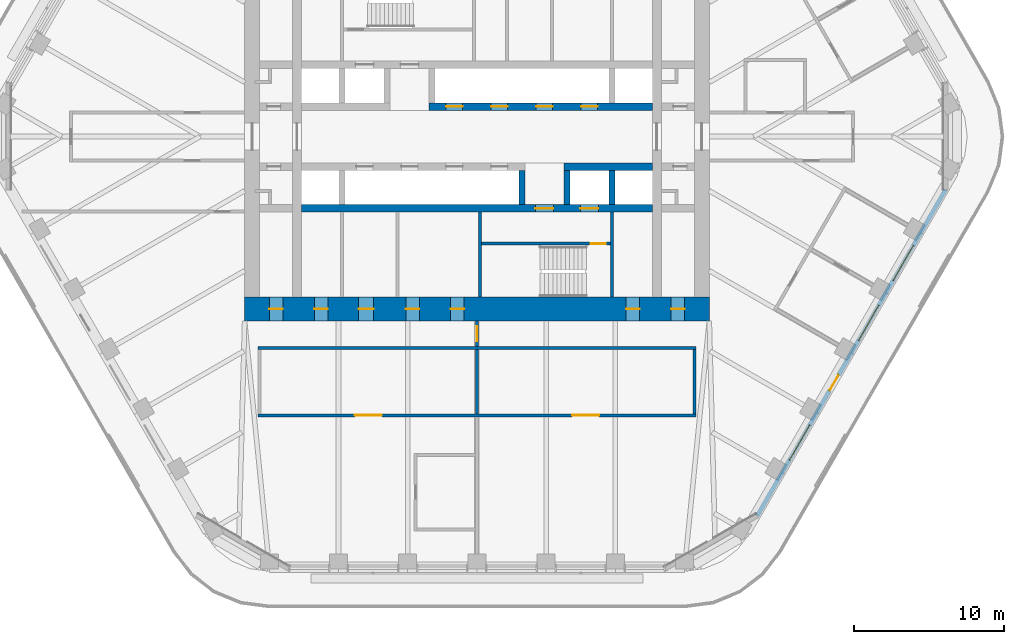
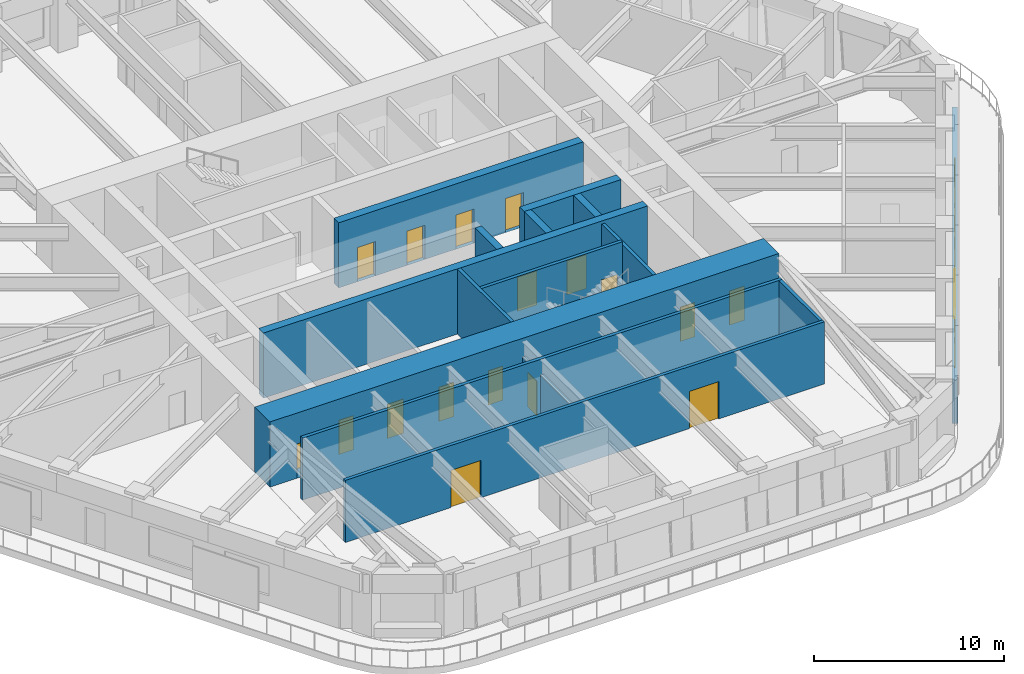
# One storey, part 15 of 20: 18 doors, 16 walls, 3 windows, 21 openings.
"""IFC4 building model written with IfcOpenShell, lengths in metres."""

from ifc_helpers import new_model, si_unit, direction, frame, frame_2d, origin, place, context, subcontext, project, spatial, rectangle, extrude, material, layer, layer_set, type_object, element, fill, save


model = new_model("IFC4")

# Units and contexts
model_context = context("Model", 3, precision=1e-05, world=origin(), true_north=direction((0.0, 1.0)))
body_context = subcontext(model_context, "Body", "Model", "MODEL_VIEW")
ifc_project = project(units=[si_unit("LENGTHUNIT", "METRE"), si_unit("AREAUNIT", "SQUARE_METRE"), si_unit("VOLUMEUNIT", "CUBIC_METRE"), si_unit("PLANEANGLEUNIT", "RADIAN"), si_unit("MASSUNIT", "GRAM", prefix="KILO")], contexts=[model_context])

# Site, building, storey
site_placement = place(None, origin())
site = spatial("IfcSite", under=ifc_project, at=site_placement, CompositionType="ELEMENT")
building_placement = place(site_placement, origin())
building = spatial("IfcBuilding", under=site, at=building_placement, Name="Tarfa Lantern Tower", CompositionType="ELEMENT")
storey_placement = place(building_placement, frame((0.0, 0.0, 257.5)))
storey = spatial("IfcBuildingStorey", under=building, at=storey_placement, Name="L58", CompositionType="ELEMENT", Elevation=257.5)

# Wall, openings, door, windows
ifc_material_1 = material(Name="Limestone cladding on blockwork", Category="masonry")
ifc_layer_1 = layer(ifc_material_1, 0.300048828125)
ifc_layer_set_1 = layer_set([ifc_layer_1], Name="EW1 STONE-CLAD WALL 300")
wall_type_1 = type_object("IfcWallType", Name="EW1 STONE-CLAD WALL 300", PredefinedType="SOLIDWALL", material=ifc_layer_set_1)
wall_1_placement = place(storey_placement, frame((18.70654296875, -25.299072265625, 0.0), z_axis=(0.0, 0.0, 1.0), x_axis=(0.500000442367, 0.866025148383, 0.0)))
wall_1 = element("IfcWall", 1, at=wall_1_placement, inside=storey, type_object=wall_type_1, Name="Stone wall SE", PredefinedType="SOLIDWALL", context=body_context, shape_type="SweptSolid", body=[
    extrude(rectangle(XDim=25.11279296875, YDim=0.300048828125, at=frame_2d((12.556396484375, 0.0))), origin(), (0.0, 0.0, 1.0), 2.800048828125),
])
opening_1_placement = place(wall_1_placement, frame((4.2783203125, 0.0, 0.60009765625)))
opening_1 = element("IfcOpeningElement", 2, at=opening_1_placement, cuts=wall_1, Name="Opening W14", PredefinedType="OPENING", context=body_context, shape_type="SweptSolid", body=[
    extrude(rectangle(XDim=2.699951171875, YDim=1.949951171875, at=frame_2d((1.35009765625, 0.97509765625))), frame((0.0, 0.159912109375, 0.0), z_axis=(0.0, -1.0, 0.0), x_axis=(1.0, 0.0, 0.0)), (0.0, 0.0, 1.0), 0.320068359375),
])
opening_2_placement = place(wall_1_placement, frame((9.64697265625, 0.0, 0.0)))
opening_2 = element("IfcOpeningElement", 3, at=opening_2_placement, cuts=wall_1, Name="Opening D47", PredefinedType="OPENING", context=body_context, shape_type="SweptSolid", body=[
    extrude(rectangle(XDim=1.199951171875, YDim=2.39990234375, at=frame_2d((0.60009765625, 1.199951171875))), frame((0.0, 0.159912109375, 0.0), z_axis=(0.0, -1.0, 0.0), x_axis=(1.0, 0.0, 0.0)), (0.0, 0.0, 1.0), 0.320068359375),
])
opening_3_placement = place(wall_1_placement, frame((13.515869140625, 0.0, 0.60009765625)))
opening_3 = element("IfcOpeningElement", 4, at=opening_3_placement, cuts=wall_1, Name="Opening W14", PredefinedType="OPENING", context=body_context, shape_type="SweptSolid", body=[
    extrude(rectangle(XDim=2.699951171875, YDim=1.949951171875, at=frame_2d((1.35009765625, 0.97509765625))), frame((0.0, 0.159912109375, 0.0), z_axis=(0.0, -1.0, 0.0), x_axis=(1.0, 0.0, 0.0)), (0.0, 0.0, 1.0), 0.320068359375),
])
opening_4_placement = place(wall_1_placement, frame((18.134521484375, 0.0, 0.60009765625)))
opening_4 = element("IfcOpeningElement", 5, at=opening_4_placement, cuts=wall_1, Name="Opening W14", PredefinedType="OPENING", context=body_context, shape_type="SweptSolid", body=[
    extrude(rectangle(XDim=2.699951171875, YDim=1.949951171875, at=frame_2d((1.35009765625, 0.97509765625))), frame((0.0, 0.159912109375, 0.0), z_axis=(0.0, -1.0, 0.0), x_axis=(1.0, 0.0, 0.0)), (0.0, 0.0, 1.0), 0.320068359375),
])
ifc_material_2 = material(Name="Aluminium framed glazed door", Category="aluminium")
door_type_1 = type_object("IfcDoorType", Name="BE3 BALCONY DOOR 1200x2400", OperationType="SINGLE_SWING_RIGHT", PredefinedType="DOOR", material=ifc_material_2)
door_1_placement = place(opening_2_placement, origin())
door_1 = element("IfcDoor", 6, at=door_1_placement, inside=storey, type_object=door_type_1, Name="Balcony door SE", OperationType="SINGLE_SWING_LEFT", OverallHeight=2.39990234375, OverallWidth=1.199951171875, PredefinedType="DOOR", context=body_context, shape_type="SweptSolid", body=[
    extrude(rectangle(XDim=1.199951171875, YDim=2.39990234375, at=frame_2d((0.60009765625, 1.199951171875))), frame((0.0, 0.02490234375, 0.0), z_axis=(0.0, -1.0, 0.0), x_axis=(1.0, 0.0, 0.0)), (0.0, 0.0, 1.0), 0.050048828125),
])
fill(opening_2, door_1)
ifc_material_3 = material(Name="Aluminium frame, double glazed", Category="aluminium")
window_type = type_object("IfcWindowType", Name="W14 FULL-HEIGHT GLAZING 2700x1950", PartitioningType="SINGLE_PANEL", PredefinedType="WINDOW", material=ifc_material_3)
window_1_placement = place(opening_1_placement, origin())
window_1 = element("IfcWindow", 7, at=window_1_placement, inside=storey, type_object=window_type, Name="Window SE 2", OverallHeight=1.949951171875, OverallWidth=2.699951171875, PartitioningType="SINGLE_PANEL", PredefinedType="WINDOW", context=body_context, shape_type="SweptSolid", body=[
    extrude(rectangle(XDim=2.699951171875, YDim=1.949951171875, at=frame_2d((1.35009765625, 0.97509765625))), frame((0.0, 0.030029296875, 0.0), z_axis=(0.0, -1.0, 0.0), x_axis=(1.0, 0.0, 0.0)), (0.0, 0.0, 1.0), 0.06005859375),
])
fill(opening_1, window_1)
window_2_placement = place(opening_3_placement, origin())
window_2 = element("IfcWindow", 8, at=window_2_placement, inside=storey, type_object=window_type, Name="Window SE 4", OverallHeight=1.949951171875, OverallWidth=2.699951171875, PartitioningType="SINGLE_PANEL", PredefinedType="WINDOW", context=body_context, shape_type="SweptSolid", body=[
    extrude(rectangle(XDim=2.699951171875, YDim=1.949951171875, at=frame_2d((1.35009765625, 0.97509765625))), frame((0.0, 0.030029296875, 0.0), z_axis=(0.0, -1.0, 0.0), x_axis=(1.0, 0.0, 0.0)), (0.0, 0.0, 1.0), 0.06005859375),
])
fill(opening_3, window_2)
window_3_placement = place(opening_4_placement, origin())
window_3 = element("IfcWindow", 9, at=window_3_placement, inside=storey, type_object=window_type, Name="Window SE 5", OverallHeight=1.949951171875, OverallWidth=2.699951171875, PartitioningType="SINGLE_PANEL", PredefinedType="WINDOW", context=body_context, shape_type="SweptSolid", body=[
    extrude(rectangle(XDim=2.699951171875, YDim=1.949951171875, at=frame_2d((1.35009765625, 0.97509765625))), frame((0.0, 0.030029296875, 0.0), z_axis=(0.0, -1.0, 0.0), x_axis=(1.0, 0.0, 0.0)), (0.0, 0.0, 1.0), 0.06005859375),
])
fill(opening_4, window_3)

# Walls
ifc_material_4 = material(Name="Concrete blockwork", Category="masonry")
ifc_layer_2 = layer(ifc_material_4, 0.199951171875)
ifc_layer_set_2 = layer_set([ifc_layer_2], Name="IW1 BLOCKWORK PARTITION 200 EI 120")
wall_type_2 = type_object("IfcWallType", Name="IW1 BLOCKWORK PARTITION 200 EI 120", PredefinedType="PARTITIONING", material=ifc_layer_set_2)
wall_2_placement = place(storey_placement, frame((9.0, -5.050048828125, 0.0), z_axis=(0.0, 0.0, 1.0), x_axis=(0.0, -1.0, 0.0)))
element("IfcWall", 10, at=wall_2_placement, inside=storey, type_object=wall_type_2, Name="Core partition", PredefinedType="PARTITIONING", context=body_context, shape_type="SweptSolid", body=[
    extrude(rectangle(XDim=5.64990234375, YDim=0.199951171875, at=frame_2d((2.824951171875, 0.0))), origin(), (0.0, 0.0, 1.0), 4.0),
])
ifc_material_5 = material(Name="Gypsum board on steel studs", Category="steel")
ifc_layer_3 = layer(ifc_material_5, 0.2099609375)
ifc_layer_set_3 = layer_set([ifc_layer_3], Name="IW2 ACOUSTIC PARTITION 200")
wall_type_3 = type_object("IfcWallType", Name="IW2 ACOUSTIC PARTITION 200", PredefinedType="PARTITIONING", material=ifc_layer_set_3)
wall_3_placement = place(storey_placement, frame((14.60009765625, -14.10009765625, 0.0), z_axis=(0.0, 0.0, 1.0), x_axis=(-1.0, 0.0, 0.0)))
element("IfcWall", 11, at=wall_3_placement, inside=storey, type_object=wall_type_3, Name="Partition", PredefinedType="PARTITIONING", context=body_context, shape_type="SweptSolid", body=[
    extrude(rectangle(XDim=29.2001953125, YDim=0.199951171875, at=frame_2d((14.60009765625, 0.0))), origin(), (0.0, 0.0, 1.0), 4.0),
])

# Wall, openings, doors
wall_4_placement = place(storey_placement, frame((14.60009765625, -18.60009765625, 0.0), z_axis=(0.0, 0.0, 1.0), x_axis=(-1.0, 0.0, 0.0)))
wall_4 = element("IfcWall", 12, at=wall_4_placement, inside=storey, type_object=wall_type_3, Name="Partition", PredefinedType="PARTITIONING", context=body_context, shape_type="SweptSolid", body=[
    extrude(rectangle(XDim=29.2001953125, YDim=0.199951171875, at=frame_2d((14.60009765625, 0.0))), origin(), (0.0, 0.0, 1.0), 4.0),
])
opening_5_placement = place(wall_4_placement, frame((6.449951171875, 0.0, 0.0)))
opening_5 = element("IfcOpeningElement", 13, at=opening_5_placement, cuts=wall_4, Name="Opening D32", PredefinedType="OPENING", context=body_context, shape_type="SweptSolid", body=[
    extrude(rectangle(XDim=1.800048828125, YDim=2.39990234375, at=frame_2d((0.89990234375, 1.199951171875))), frame((0.0, 0.10986328125, 0.0), z_axis=(0.0, -1.0, 0.0), x_axis=(1.0, 0.0, 0.0)), (0.0, 0.0, 1.0), 0.219970703125),
])
opening_6_placement = place(wall_4_placement, frame((20.949951171875, 0.0, 0.0)))
opening_6 = element("IfcOpeningElement", 14, at=opening_6_placement, cuts=wall_4, Name="Opening D33", PredefinedType="OPENING", context=body_context, shape_type="SweptSolid", body=[
    extrude(rectangle(XDim=1.800048828125, YDim=2.39990234375, at=frame_2d((0.89990234375, 1.199951171875))), frame((0.0, 0.10986328125, 0.0), z_axis=(0.0, -1.0, 0.0), x_axis=(1.0, 0.0, 0.0)), (0.0, 0.0, 1.0), 0.219970703125),
])
ifc_material_6 = material(Name="Timber door", Category="wood")
door_type_2 = type_object("IfcDoorType", Name="DR2 ROOM DOOR 1800x2400", OperationType="DOUBLE_DOOR_SINGLE_SWING", PredefinedType="DOOR", material=ifc_material_6)
door_2_placement = place(opening_5_placement, frame((1.800048828125, 0.0, 0.0), z_axis=(0.0, 0.0, 1.0), x_axis=(-1.0, 0.0, 0.0)))
door_2 = element("IfcDoor", 15, at=door_2_placement, inside=storey, type_object=door_type_2, Name="Bid room door", OperationType="DOUBLE_DOOR_SINGLE_SWING", OverallHeight=2.39990234375, OverallWidth=1.800048828125, PredefinedType="DOOR", context=body_context, shape_type="SweptSolid", body=[
    extrude(rectangle(XDim=1.800048828125, YDim=2.39990234375, at=frame_2d((0.89990234375, 1.199951171875))), frame((0.0, 0.02490234375, 0.0), z_axis=(0.0, -1.0, 0.0), x_axis=(1.0, 0.0, 0.0)), (0.0, 0.0, 1.0), 0.050048828125),
])
fill(opening_5, door_2)
door_3_placement = place(opening_6_placement, frame((1.800048828125, 0.0, 0.0), z_axis=(0.0, 0.0, 1.0), x_axis=(-1.0, 0.0, 0.0)))
door_3 = element("IfcDoor", 16, at=door_3_placement, inside=storey, type_object=door_type_2, Name="Bid room door", OperationType="DOUBLE_DOOR_SINGLE_SWING", OverallHeight=2.39990234375, OverallWidth=1.800048828125, PredefinedType="DOOR", context=body_context, shape_type="SweptSolid", body=[
    extrude(rectangle(XDim=1.800048828125, YDim=2.39990234375, at=frame_2d((0.89990234375, 1.199951171875))), frame((0.0, 0.02490234375, 0.0), z_axis=(0.0, -1.0, 0.0), x_axis=(1.0, 0.0, 0.0)), (0.0, 0.0, 1.0), 0.050048828125),
])
fill(opening_6, door_3)

# Walls
wall_5_placement = place(storey_placement, frame((14.5, -14.199951171875, 0.0), z_axis=(0.0, 0.0, 1.0), x_axis=(0.0, -1.0, 0.0)))
element("IfcWall", 17, at=wall_5_placement, inside=storey, type_object=wall_type_3, Name="Partition", PredefinedType="PARTITIONING", context=body_context, shape_type="SweptSolid", body=[
    extrude(rectangle(XDim=4.300048828125, YDim=0.199951171875, at=frame_2d((2.14990234375, 0.0))), origin(), (0.0, 0.0, 1.0), 4.0),
])
wall_6_placement = place(storey_placement, frame((0.0, -14.199951171875, 0.0), z_axis=(0.0, 0.0, 1.0), x_axis=(0.0, -1.0, 0.0)))
element("IfcWall", 18, at=wall_6_placement, inside=storey, type_object=wall_type_3, Name="Partition", PredefinedType="PARTITIONING", context=body_context, shape_type="SweptSolid", body=[
    extrude(rectangle(XDim=4.300048828125, YDim=0.199951171875, at=frame_2d((2.14990234375, 0.0))), origin(), (0.0, 0.0, 1.0), 2.991943359375),
])

# Wall, opening, door
wall_7_placement = place(storey_placement, frame((0.0, -12.300048828125, 0.0), z_axis=(0.0, 0.0, 1.0), x_axis=(0.0, -1.0, 0.0)))
wall_7 = element("IfcWall", 19, at=wall_7_placement, inside=storey, type_object=wall_type_3, Name="Partition", PredefinedType="PARTITIONING", context=body_context, shape_type="SweptSolid", body=[
    extrude(rectangle(XDim=1.699951171875, YDim=0.199951171875, at=frame_2d((0.85009765625, 0.0))), origin(), (0.0, 0.0, 1.0), 2.991943359375),
])
opening_7_placement = place(wall_7_placement, frame((0.35009765625, 0.0, 0.0)))
opening_7 = element("IfcOpeningElement", 20, at=opening_7_placement, cuts=wall_7, Name="Opening D44", PredefinedType="OPENING", context=body_context, shape_type="SweptSolid", body=[
    extrude(rectangle(XDim=1.0, YDim=2.199951171875, at=frame_2d((0.5, 1.10009765625))), frame((0.0, 0.10986328125, 0.0), z_axis=(0.0, -1.0, 0.0), x_axis=(1.0, 0.0, 0.0)), (0.0, 0.0, 1.0), 0.219970703125),
])
door_type_3 = type_object("IfcDoorType", Name="DR1 ROOM DOOR 1000x2200", OperationType="SINGLE_SWING_LEFT", PredefinedType="DOOR", material=ifc_material_6)
door_4_placement = place(opening_7_placement, frame((1.0, 0.0, 0.0), z_axis=(0.0, 0.0, 1.0), x_axis=(-1.0, 0.0, 0.0)))
door_4 = element("IfcDoor", 21, at=door_4_placement, inside=storey, type_object=door_type_3, Name="Zone door", OperationType="SINGLE_SWING_RIGHT", OverallHeight=2.199951171875, OverallWidth=1.0, PredefinedType="DOOR", context=body_context, shape_type="SweptSolid", body=[
    extrude(rectangle(XDim=1.0, YDim=2.199951171875, at=frame_2d((0.5, 1.10009765625))), frame((0.0, 0.02490234375, 0.0), z_axis=(0.0, -1.0, 0.0), x_axis=(1.0, 0.0, 0.0)), (0.0, 0.0, 1.0), 0.050048828125),
])
fill(opening_7, door_4)

# Wall
ifc_material_7 = material(Name="Concrete C80/95", Category="concrete")
ifc_layer_4 = layer(ifc_material_7, 0.199951171875)
ifc_layer_set_4 = layer_set([ifc_layer_4], Name="SW12 CORE WALL 200")
wall_type_4 = type_object("IfcWallType", Name="SW12 CORE WALL 200", PredefinedType="SHEAR", material=ifc_layer_set_4)
wall_8_placement = place(storey_placement, frame((0.199951171875, -5.050048828125, 0.0), z_axis=(0.0, 0.0, 1.0), x_axis=(0.0, -1.0, 0.0)))
element("IfcWall", 22, at=wall_8_placement, inside=storey, type_object=wall_type_4, Name="Core wall stair shaft S", PredefinedType="SHEAR", context=body_context, shape_type="SweptSolid", body=[
    extrude(rectangle(XDim=5.64990234375, YDim=0.199951171875, at=frame_2d((2.824951171875, 0.0))), origin(), (0.0, 0.0, 1.0), 4.199951171875),
])

# Wall, opening, door
wall_9_placement = place(storey_placement, frame((8.89990234375, -7.14990234375, 0.0), z_axis=(0.0, 0.0, 1.0), x_axis=(-1.0, 0.0, 0.0)))
wall_9 = element("IfcWall", 23, at=wall_9_placement, inside=storey, type_object=wall_type_4, Name="Core wall stair partition S", PredefinedType="SHEAR", context=body_context, shape_type="SweptSolid", body=[
    extrude(rectangle(XDim=8.599853515625, YDim=0.199951171875, at=frame_2d((4.2998046875, 0.0))), origin(), (0.0, 0.0, 1.0), 4.199951171875),
])
opening_8_placement = place(wall_9_placement, frame((0.300048828125, 0.0, 0.0)))
opening_8 = element("IfcOpeningElement", 24, at=opening_8_placement, cuts=wall_9, Name="Opening D24", PredefinedType="OPENING", context=body_context, shape_type="SweptSolid", body=[
    extrude(rectangle(XDim=1.0, YDim=2.199951171875, at=frame_2d((0.5, 1.10009765625))), frame((0.0, 0.10986328125, 0.0), z_axis=(0.0, -1.0, 0.0), x_axis=(1.0, 0.0, 0.0)), (0.0, 0.0, 1.0), 0.219970703125),
])
ifc_material_8 = material(Name="Steel fire door", Category="steel")
door_type_4 = type_object("IfcDoorType", Name="DF2 STAIR DOOR 1000x2200", OperationType="SINGLE_SWING_LEFT", PredefinedType="DOOR", material=ifc_material_8)
door_5_placement = place(opening_8_placement, origin())
door_5 = element("IfcDoor", 25, at=door_5_placement, inside=storey, type_object=door_type_4, Name="Stair door", OperationType="SINGLE_SWING_RIGHT", OverallHeight=2.199951171875, OverallWidth=1.0, PredefinedType="DOOR", context=body_context, shape_type="SweptSolid", body=[
    extrude(rectangle(XDim=1.0, YDim=2.199951171875, at=frame_2d((0.5, 1.10009765625))), frame((0.0, 0.02490234375, 0.0), z_axis=(0.0, -1.0, 0.0), x_axis=(1.0, 0.0, 0.0)), (0.0, 0.0, 1.0), 0.050048828125),
])
fill(opening_8, door_5)

# Wall, openings, doors
ifc_layer_5 = layer(ifc_material_7, 0.5)
ifc_layer_set_5 = layer_set([ifc_layer_5], Name="SW5 CORE WALL 500")
wall_type_5 = type_object("IfcWallType", Name="SW5 CORE WALL 500", PredefinedType="SHEAR", material=ifc_layer_set_5)
wall_10_placement = place(storey_placement, frame((-3.199951171875, 2.0, 0.0), z_axis=(0.0, 0.0, 1.0), x_axis=(1.0, 0.0, 0.0)))
wall_10 = element("IfcWall", 26, at=wall_10_placement, inside=storey, type_object=wall_type_5, Name="Core wall lobby east N", PredefinedType="SHEAR", context=body_context, shape_type="SweptSolid", body=[
    extrude(rectangle(XDim=14.89990234375, YDim=0.5, at=frame_2d((7.449951171875, 0.0))), origin(), (0.0, 0.0, 1.0), 4.199951171875),
])
opening_9_placement = place(wall_10_placement, frame((1.14990234375, 0.0, 0.0)))
opening_9 = element("IfcOpeningElement", 27, at=opening_9_placement, cuts=wall_10, Name="Opening LD03", PredefinedType="OPENING", context=body_context, shape_type="SweptSolid", body=[
    extrude(rectangle(XDim=1.10009765625, YDim=2.199951171875, at=frame_2d((0.550048828125, 1.10009765625))), frame((0.0, 0.260009765625, 0.0), z_axis=(0.0, -1.0, 0.0), x_axis=(1.0, 0.0, 0.0)), (0.0, 0.0, 1.0), 0.52001953125),
])
opening_10_placement = place(wall_10_placement, frame((4.14990234375, 0.0, 0.0)))
opening_10 = element("IfcOpeningElement", 28, at=opening_10_placement, cuts=wall_10, Name="Opening LD04", PredefinedType="OPENING", context=body_context, shape_type="SweptSolid", body=[
    extrude(rectangle(XDim=1.10009765625, YDim=2.199951171875, at=frame_2d((0.550048828125, 1.10009765625))), frame((0.0, 0.260009765625, 0.0), z_axis=(0.0, -1.0, 0.0), x_axis=(1.0, 0.0, 0.0)), (0.0, 0.0, 1.0), 0.52001953125),
])
opening_11_placement = place(wall_10_placement, frame((7.14990234375, 0.0, 0.0)))
opening_11 = element("IfcOpeningElement", 29, at=opening_11_placement, cuts=wall_10, Name="Opening LD05", PredefinedType="OPENING", context=body_context, shape_type="SweptSolid", body=[
    extrude(rectangle(XDim=1.10009765625, YDim=2.199951171875, at=frame_2d((0.550048828125, 1.10009765625))), frame((0.0, 0.260009765625, 0.0), z_axis=(0.0, -1.0, 0.0), x_axis=(1.0, 0.0, 0.0)), (0.0, 0.0, 1.0), 0.52001953125),
])
opening_12_placement = place(wall_10_placement, frame((10.14990234375, 0.0, 0.0)))
opening_12 = element("IfcOpeningElement", 30, at=opening_12_placement, cuts=wall_10, Name="Opening LD06", PredefinedType="OPENING", context=body_context, shape_type="SweptSolid", body=[
    extrude(rectangle(XDim=1.10009765625, YDim=2.199951171875, at=frame_2d((0.550048828125, 1.10009765625))), frame((0.0, 0.260009765625, 0.0), z_axis=(0.0, -1.0, 0.0), x_axis=(1.0, 0.0, 0.0)), (0.0, 0.0, 1.0), 0.52001953125),
])
ifc_material_9 = material(Name="Stainless steel lift door", Category="steel")
door_type_5 = type_object("IfcDoorType", Name="LD2 LIFT LANDING DOOR 1100x2200", OperationType="SLIDING_TO_LEFT", PredefinedType="DOOR", material=ifc_material_9)
door_6_placement = place(opening_9_placement, frame((1.10009765625, 0.0, 0.0), z_axis=(0.0, 0.0, 1.0), x_axis=(-1.0, 0.0, 0.0)))
door_6 = element("IfcDoor", 31, at=door_6_placement, inside=storey, type_object=door_type_5, Name="Landing door PC1", OperationType="SLIDING_TO_LEFT", OverallHeight=2.199951171875, OverallWidth=1.10009765625, PredefinedType="DOOR", context=body_context, shape_type="SweptSolid", body=[
    extrude(rectangle(XDim=1.10009765625, YDim=2.199951171875, at=frame_2d((0.550048828125, 1.10009765625))), frame((0.0, 0.02490234375, 0.0), z_axis=(0.0, -1.0, 0.0), x_axis=(1.0, 0.0, 0.0)), (0.0, 0.0, 1.0), 0.050048828125),
])
fill(opening_9, door_6)
door_7_placement = place(opening_10_placement, frame((1.10009765625, 0.0, 0.0), z_axis=(0.0, 0.0, 1.0), x_axis=(-1.0, 0.0, 0.0)))
door_7 = element("IfcDoor", 32, at=door_7_placement, inside=storey, type_object=door_type_5, Name="Landing door PC2", OperationType="SLIDING_TO_LEFT", OverallHeight=2.199951171875, OverallWidth=1.10009765625, PredefinedType="DOOR", context=body_context, shape_type="SweptSolid", body=[
    extrude(rectangle(XDim=1.10009765625, YDim=2.199951171875, at=frame_2d((0.550048828125, 1.10009765625))), frame((0.0, 0.02490234375, 0.0), z_axis=(0.0, -1.0, 0.0), x_axis=(1.0, 0.0, 0.0)), (0.0, 0.0, 1.0), 0.050048828125),
])
fill(opening_10, door_7)
door_8_placement = place(opening_11_placement, frame((1.10009765625, 0.0, 0.0), z_axis=(0.0, 0.0, 1.0), x_axis=(-1.0, 0.0, 0.0)))
door_8 = element("IfcDoor", 33, at=door_8_placement, inside=storey, type_object=door_type_5, Name="Landing door PC3", OperationType="SLIDING_TO_LEFT", OverallHeight=2.199951171875, OverallWidth=1.10009765625, PredefinedType="DOOR", context=body_context, shape_type="SweptSolid", body=[
    extrude(rectangle(XDim=1.10009765625, YDim=2.199951171875, at=frame_2d((0.550048828125, 1.10009765625))), frame((0.0, 0.02490234375, 0.0), z_axis=(0.0, -1.0, 0.0), x_axis=(1.0, 0.0, 0.0)), (0.0, 0.0, 1.0), 0.050048828125),
])
fill(opening_11, door_8)
door_9_placement = place(opening_12_placement, frame((1.10009765625, 0.0, 0.0), z_axis=(0.0, 0.0, 1.0), x_axis=(-1.0, 0.0, 0.0)))
door_9 = element("IfcDoor", 34, at=door_9_placement, inside=storey, type_object=door_type_5, Name="Landing door PC4", OperationType="SLIDING_TO_LEFT", OverallHeight=2.199951171875, OverallWidth=1.10009765625, PredefinedType="DOOR", context=body_context, shape_type="SweptSolid", body=[
    extrude(rectangle(XDim=1.10009765625, YDim=2.199951171875, at=frame_2d((0.550048828125, 1.10009765625))), frame((0.0, 0.02490234375, 0.0), z_axis=(0.0, -1.0, 0.0), x_axis=(1.0, 0.0, 0.0)), (0.0, 0.0, 1.0), 0.050048828125),
])
fill(opening_12, door_9)

# Wall
wall_11_placement = place(storey_placement, frame((11.699951171875, -2.0, 0.0), z_axis=(0.0, 0.0, 1.0), x_axis=(-1.0, 0.0, 0.0)))
element("IfcWall", 35, at=wall_11_placement, inside=storey, type_object=wall_type_5, Name="Core wall lobby west S", PredefinedType="SHEAR", context=body_context, shape_type="SweptSolid", body=[
    extrude(rectangle(XDim=5.89990234375, YDim=0.5, at=frame_2d((2.949951171875, 0.0))), origin(), (0.0, 0.0, 1.0), 4.199951171875),
])

# Wall, openings, doors
wall_12_placement = place(storey_placement, frame((11.699951171875, -4.800048828125, 0.0), z_axis=(0.0, 0.0, 1.0), x_axis=(-1.0, 0.0, 0.0)))
wall_12 = element("IfcWall", 36, at=wall_12_placement, inside=storey, type_object=wall_type_5, Name="Core wall rear S", PredefinedType="SHEAR", context=body_context, shape_type="SweptSolid", body=[
    extrude(rectangle(XDim=23.39990234375, YDim=0.5, at=frame_2d((11.699951171875, 0.0))), origin(), (0.0, 0.0, 1.0), 4.199951171875),
])
opening_13_placement = place(wall_12_placement, frame((6.60009765625, 0.0, 0.0)))
opening_13 = element("IfcOpeningElement", 37, at=opening_13_placement, cuts=wall_12, Name="Opening D10", PredefinedType="OPENING", context=body_context, shape_type="SweptSolid", body=[
    extrude(rectangle(XDim=1.199951171875, YDim=2.199951171875, at=frame_2d((0.60009765625, 1.10009765625))), frame((0.0, 0.260009765625, 0.0), z_axis=(0.0, -1.0, 0.0), x_axis=(1.0, 0.0, 0.0)), (0.0, 0.0, 1.0), 0.52001953125),
])
opening_14_placement = place(wall_12_placement, frame((3.60009765625, 0.0, 0.0)))
opening_14 = element("IfcOpeningElement", 38, at=opening_14_placement, cuts=wall_12, Name="Opening LD02", PredefinedType="OPENING", context=body_context, shape_type="SweptSolid", body=[
    extrude(rectangle(XDim=1.199951171875, YDim=2.199951171875, at=frame_2d((0.60009765625, 1.10009765625))), frame((0.0, 0.260009765625, 0.0), z_axis=(0.0, -1.0, 0.0), x_axis=(1.0, 0.0, 0.0)), (0.0, 0.0, 1.0), 0.52001953125),
])
door_type_6 = type_object("IfcDoorType", Name="DF1 FIREFIGHTING LOBBY DOOR 1200x2200", OperationType="SINGLE_SWING_LEFT", PredefinedType="DOOR", material=ifc_material_8)
door_10_placement = place(opening_13_placement, origin())
door_10 = element("IfcDoor", 39, at=door_10_placement, inside=storey, type_object=door_type_6, Name="Firefighting lobby door", OperationType="SINGLE_SWING_LEFT", OverallHeight=2.199951171875, OverallWidth=1.199951171875, PredefinedType="DOOR", context=body_context, shape_type="SweptSolid", body=[
    extrude(rectangle(XDim=1.199951171875, YDim=2.199951171875, at=frame_2d((0.60009765625, 1.10009765625))), frame((0.0, 0.02490234375, 0.0), z_axis=(0.0, -1.0, 0.0), x_axis=(1.0, 0.0, 0.0)), (0.0, 0.0, 1.0), 0.050048828125),
])
fill(opening_13, door_10)
door_type_7 = type_object("IfcDoorType", Name="LD1 LIFT LANDING DOOR 1200x2200", OperationType="SLIDING_TO_LEFT", PredefinedType="DOOR", material=ifc_material_9)
door_11_placement = place(opening_14_placement, origin())
door_11 = element("IfcDoor", 40, at=door_11_placement, inside=storey, type_object=door_type_7, Name="Landing door FL2", OperationType="SLIDING_TO_LEFT", OverallHeight=2.199951171875, OverallWidth=1.199951171875, PredefinedType="DOOR", context=body_context, shape_type="SweptSolid", body=[
    extrude(rectangle(XDim=1.199951171875, YDim=2.199951171875, at=frame_2d((0.60009765625, 1.10009765625))), frame((0.0, 0.02490234375, 0.0), z_axis=(0.0, -1.0, 0.0), x_axis=(1.0, 0.0, 0.0)), (0.0, 0.0, 1.0), 0.050048828125),
])
fill(opening_14, door_11)

# Walls
ifc_layer_6 = layer(ifc_material_7, 0.39990234375)
ifc_layer_set_6 = layer_set([ifc_layer_6], Name="SW6 CORE WALL 400")
wall_type_6 = type_object("IfcWallType", Name="SW6 CORE WALL 400", PredefinedType="SHEAR", material=ifc_layer_set_6)
for number, where, z_axis, x_axis, name in (
    (41, (9.0, -2.25, 0.0), (0.0, 0.0, 1.0), (0.0, -1.0, 0.0), "Core wall divider S"),
    (42, (6.0, -2.25, 0.0), (0.0, 0.0, 1.0), (0.0, -1.0, 0.0), "Core wall divider S"),
    (43, (3.0, -2.25, 0.0), (0.0, 0.0, 1.0), (0.0, -1.0, 0.0), "Core wall divider S"),
):
    element("IfcWall", number, at=place(storey_placement, frame(where, z_axis=z_axis, x_axis=x_axis)), inside=storey, type_object=wall_type_6, Name=name, PredefinedType="SHEAR", context=body_context, shape_type="SweptSolid", body=[
        extrude(rectangle(XDim=2.300048828125, YDim=0.39990234375, at=frame_2d((1.14990234375, 0.0))), origin(), (0.0, 0.0, 1.0), 4.199951171875),
    ])

# Wall, openings, doors
ifc_layer_7 = layer(ifc_material_7, 1.60009765625)
ifc_layer_set_7 = layer_set([ifc_layer_7], Name="SW7 CORE WALL 1600")
wall_type_7 = type_object("IfcWallType", Name="SW7 CORE WALL 1600", PredefinedType="SHEAR", material=ifc_layer_set_7)
wall_13_placement = place(storey_placement, frame((15.5, -11.5, 0.0), z_axis=(0.0, 0.0, 1.0), x_axis=(-1.0, 0.0, 0.0)))
wall_13 = element("IfcWall", 44, at=wall_13_placement, inside=storey, type_object=wall_type_7, Name="Core wall S", PredefinedType="SHEAR", context=body_context, shape_type="SweptSolid", body=[
    extrude(rectangle(XDim=31.0, YDim=1.60009765625, at=frame_2d((15.5, 0.0))), origin(), (0.0, 0.0, 1.0), 4.199951171875),
])
opening_15_placement = place(wall_13_placement, frame((16.35009765625, 0.0, 0.0)))
opening_15 = element("IfcOpeningElement", 45, at=opening_15_placement, cuts=wall_13, Name="Opening D18", PredefinedType="OPENING", context=body_context, shape_type="SweptSolid", body=[
    extrude(rectangle(XDim=0.89990234375, YDim=2.199951171875, at=frame_2d((0.449951171875, 1.10009765625))), frame((0.0, 0.81005859375, 0.0), z_axis=(0.0, -1.0, 0.0), x_axis=(1.0, 0.0, 0.0)), (0.0, 0.0, 1.0), 1.6201171875),
])
opening_16_placement = place(wall_13_placement, frame((19.35009765625, 0.0, 0.0)))
opening_16 = element("IfcOpeningElement", 46, at=opening_16_placement, cuts=wall_13, Name="Opening D20", PredefinedType="OPENING", context=body_context, shape_type="SweptSolid", body=[
    extrude(rectangle(XDim=0.89990234375, YDim=2.199951171875, at=frame_2d((0.449951171875, 1.10009765625))), frame((0.0, 0.81005859375, 0.0), z_axis=(0.0, -1.0, 0.0), x_axis=(1.0, 0.0, 0.0)), (0.0, 0.0, 1.0), 1.6201171875),
])
opening_17_placement = place(wall_13_placement, frame((22.39990234375, 0.0, 0.0)))
opening_17 = element("IfcOpeningElement", 47, at=opening_17_placement, cuts=wall_13, Name="Opening D22", PredefinedType="OPENING", context=body_context, shape_type="SweptSolid", body=[
    extrude(rectangle(XDim=1.0, YDim=2.199951171875, at=frame_2d((0.5, 1.10009765625))), frame((0.0, 0.81005859375, 0.0), z_axis=(0.0, -1.0, 0.0), x_axis=(1.0, 0.0, 0.0)), (0.0, 0.0, 1.0), 1.6201171875),
])
opening_18_placement = place(wall_13_placement, frame((1.64990234375, 0.0, 0.0)))
opening_18 = element("IfcOpeningElement", 48, at=opening_18_placement, cuts=wall_13, Name="Opening D08", PredefinedType="OPENING", context=body_context, shape_type="SweptSolid", body=[
    extrude(rectangle(XDim=0.89990234375, YDim=2.199951171875, at=frame_2d((0.449951171875, 1.10009765625))), frame((0.0, 0.81005859375, 0.0), z_axis=(0.0, -1.0, 0.0), x_axis=(1.0, 0.0, 0.0)), (0.0, 0.0, 1.0), 1.6201171875),
])
opening_19_placement = place(wall_13_placement, frame((4.64990234375, 0.0, 0.0)))
opening_19 = element("IfcOpeningElement", 49, at=opening_19_placement, cuts=wall_13, Name="Opening D06", PredefinedType="OPENING", context=body_context, shape_type="SweptSolid", body=[
    extrude(rectangle(XDim=0.89990234375, YDim=2.199951171875, at=frame_2d((0.449951171875, 1.10009765625))), frame((0.0, 0.81005859375, 0.0), z_axis=(0.0, -1.0, 0.0), x_axis=(1.0, 0.0, 0.0)), (0.0, 0.0, 1.0), 1.6201171875),
])
opening_20_placement = place(wall_13_placement, frame((25.449951171875, 0.0, 0.0)))
opening_20 = element("IfcOpeningElement", 50, at=opening_20_placement, cuts=wall_13, Name="Opening D04", PredefinedType="OPENING", context=body_context, shape_type="SweptSolid", body=[
    extrude(rectangle(XDim=0.89990234375, YDim=2.199951171875, at=frame_2d((0.449951171875, 1.10009765625))), frame((0.0, 0.81005859375, 0.0), z_axis=(0.0, -1.0, 0.0), x_axis=(1.0, 0.0, 0.0)), (0.0, 0.0, 1.0), 1.6201171875),
])
opening_21_placement = place(wall_13_placement, frame((28.449951171875, 0.0, 0.0)))
opening_21 = element("IfcOpeningElement", 51, at=opening_21_placement, cuts=wall_13, Name="Opening D02", PredefinedType="OPENING", context=body_context, shape_type="SweptSolid", body=[
    extrude(rectangle(XDim=0.89990234375, YDim=2.199951171875, at=frame_2d((0.449951171875, 1.10009765625))), frame((0.0, 0.81005859375, 0.0), z_axis=(0.0, -1.0, 0.0), x_axis=(1.0, 0.0, 0.0)), (0.0, 0.0, 1.0), 1.6201171875),
])
door_type_8 = type_object("IfcDoorType", Name="DF3 CORE ROOM DOOR 900x2200", OperationType="SINGLE_SWING_LEFT", PredefinedType="DOOR", material=ifc_material_8)
door_12_placement = place(opening_15_placement, frame((0.89990234375, 0.0, 0.0), z_axis=(0.0, 0.0, 1.0), x_axis=(-1.0, 0.0, 0.0)))
door_12 = element("IfcDoor", 52, at=door_12_placement, inside=storey, type_object=door_type_8, Name="Core door", OperationType="SINGLE_SWING_LEFT", OverallHeight=2.199951171875, OverallWidth=0.89990234375, PredefinedType="DOOR", context=body_context, shape_type="SweptSolid", body=[
    extrude(rectangle(XDim=0.89990234375, YDim=2.199951171875, at=frame_2d((0.449951171875, 1.10009765625))), frame((0.0, 0.02490234375, 0.0), z_axis=(0.0, -1.0, 0.0), x_axis=(1.0, 0.0, 0.0)), (0.0, 0.0, 1.0), 0.050048828125),
])
fill(opening_15, door_12)
door_13_placement = place(opening_16_placement, frame((0.89990234375, 0.0, 0.0), z_axis=(0.0, 0.0, 1.0), x_axis=(-1.0, 0.0, 0.0)))
door_13 = element("IfcDoor", 53, at=door_13_placement, inside=storey, type_object=door_type_8, Name="Core door", OperationType="SINGLE_SWING_RIGHT", OverallHeight=2.199951171875, OverallWidth=0.89990234375, PredefinedType="DOOR", context=body_context, shape_type="SweptSolid", body=[
    extrude(rectangle(XDim=0.89990234375, YDim=2.199951171875, at=frame_2d((0.449951171875, 1.10009765625))), frame((0.0, 0.02490234375, 0.0), z_axis=(0.0, -1.0, 0.0), x_axis=(1.0, 0.0, 0.0)), (0.0, 0.0, 1.0), 0.050048828125),
])
fill(opening_16, door_13)
door_type_9 = type_object("IfcDoorType", Name="DF4 CORE ROOM DOOR 1000x2200", OperationType="SINGLE_SWING_LEFT", PredefinedType="DOOR", material=ifc_material_8)
door_14_placement = place(opening_17_placement, frame((1.0, 0.0, 0.0), z_axis=(0.0, 0.0, 1.0), x_axis=(-1.0, 0.0, 0.0)))
door_14 = element("IfcDoor", 54, at=door_14_placement, inside=storey, type_object=door_type_9, Name="Core door", OperationType="SINGLE_SWING_RIGHT", OverallHeight=2.199951171875, OverallWidth=1.0, PredefinedType="DOOR", context=body_context, shape_type="SweptSolid", body=[
    extrude(rectangle(XDim=1.0, YDim=2.199951171875, at=frame_2d((0.5, 1.10009765625))), frame((0.0, 0.02490234375, 0.0), z_axis=(0.0, -1.0, 0.0), x_axis=(1.0, 0.0, 0.0)), (0.0, 0.0, 1.0), 0.050048828125),
])
fill(opening_17, door_14)
door_type_10 = type_object("IfcDoorType", Name="DF5 RISER DOOR 900x2200", OperationType="SINGLE_SWING_LEFT", PredefinedType="DOOR", material=ifc_material_8)
door_15_placement = place(opening_18_placement, frame((0.89990234375, 0.0, 0.0), z_axis=(0.0, 0.0, 1.0), x_axis=(-1.0, 0.0, 0.0)))
door_15 = element("IfcDoor", 55, at=door_15_placement, inside=storey, type_object=door_type_10, Name="Riser door", OperationType="SINGLE_SWING_LEFT", OverallHeight=2.199951171875, OverallWidth=0.89990234375, PredefinedType="DOOR", context=body_context, shape_type="SweptSolid", body=[
    extrude(rectangle(XDim=0.89990234375, YDim=2.199951171875, at=frame_2d((0.449951171875, 1.10009765625))), frame((0.0, 0.02490234375, 0.0), z_axis=(0.0, -1.0, 0.0), x_axis=(1.0, 0.0, 0.0)), (0.0, 0.0, 1.0), 0.050048828125),
])
fill(opening_18, door_15)
door_16_placement = place(opening_19_placement, frame((0.89990234375, 0.0, 0.0), z_axis=(0.0, 0.0, 1.0), x_axis=(-1.0, 0.0, 0.0)))
door_16 = element("IfcDoor", 56, at=door_16_placement, inside=storey, type_object=door_type_10, Name="Riser door", OperationType="SINGLE_SWING_LEFT", OverallHeight=2.199951171875, OverallWidth=0.89990234375, PredefinedType="DOOR", context=body_context, shape_type="SweptSolid", body=[
    extrude(rectangle(XDim=0.89990234375, YDim=2.199951171875, at=frame_2d((0.449951171875, 1.10009765625))), frame((0.0, 0.02490234375, 0.0), z_axis=(0.0, -1.0, 0.0), x_axis=(1.0, 0.0, 0.0)), (0.0, 0.0, 1.0), 0.050048828125),
])
fill(opening_19, door_16)
door_17_placement = place(opening_20_placement, frame((0.89990234375, 0.0, 0.0), z_axis=(0.0, 0.0, 1.0), x_axis=(-1.0, 0.0, 0.0)))
door_17 = element("IfcDoor", 57, at=door_17_placement, inside=storey, type_object=door_type_10, Name="Riser door", OperationType="SINGLE_SWING_RIGHT", OverallHeight=2.199951171875, OverallWidth=0.89990234375, PredefinedType="DOOR", context=body_context, shape_type="SweptSolid", body=[
    extrude(rectangle(XDim=0.89990234375, YDim=2.199951171875, at=frame_2d((0.449951171875, 1.10009765625))), frame((0.0, 0.02490234375, 0.0), z_axis=(0.0, -1.0, 0.0), x_axis=(1.0, 0.0, 0.0)), (0.0, 0.0, 1.0), 0.050048828125),
])
fill(opening_20, door_17)
door_18_placement = place(opening_21_placement, frame((0.89990234375, 0.0, 0.0), z_axis=(0.0, 0.0, 1.0), x_axis=(-1.0, 0.0, 0.0)))
door_18 = element("IfcDoor", 58, at=door_18_placement, inside=storey, type_object=door_type_10, Name="Riser door", OperationType="SINGLE_SWING_RIGHT", OverallHeight=2.199951171875, OverallWidth=0.89990234375, PredefinedType="DOOR", context=body_context, shape_type="SweptSolid", body=[
    extrude(rectangle(XDim=0.89990234375, YDim=2.199951171875, at=frame_2d((0.449951171875, 1.10009765625))), frame((0.0, 0.02490234375, 0.0), z_axis=(0.0, -1.0, 0.0), x_axis=(1.0, 0.0, 0.0)), (0.0, 0.0, 1.0), 0.050048828125),
])
fill(opening_21, door_18)

save(model, "model.ifc")
